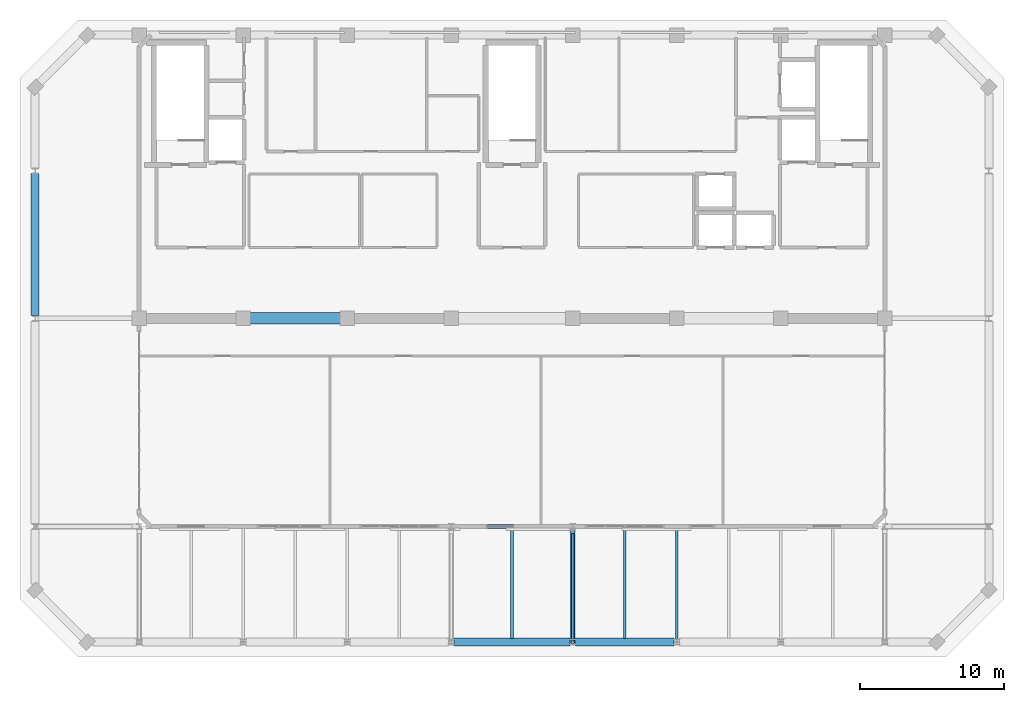
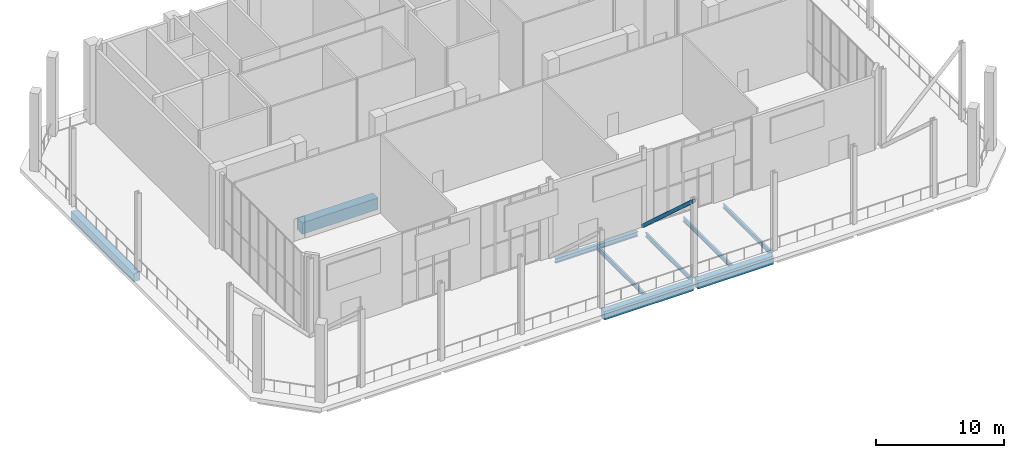
# One storey, part 13 of 23: 9 beams, 1 member.
"""IFC4 building model written with IfcOpenShell, lengths in metres."""

from ifc_helpers import new_model, si_unit, direction, frame, origin, origin_2d, place, context, subcontext, project, spatial, rectangle, hollow_circle, i_section, extrude, material, material_profile, profile_set, type_object, element, save


model = new_model("IFC4")

# Units and contexts
model_context = context("Model", 3, precision=1e-05, world=origin(), true_north=direction((0.0, 1.0)))
body_context = subcontext(model_context, "Body", "Model", "MODEL_VIEW")
ifc_project = project(units=[si_unit("LENGTHUNIT", "METRE"), si_unit("AREAUNIT", "SQUARE_METRE"), si_unit("VOLUMEUNIT", "CUBIC_METRE"), si_unit("PLANEANGLEUNIT", "RADIAN"), si_unit("MASSUNIT", "GRAM", prefix="KILO")], contexts=[model_context])

# Site, building, storey
site_placement = place(None, origin())
site = spatial("IfcSite", under=ifc_project, at=site_placement, CompositionType="ELEMENT")
building_placement = place(site_placement, origin())
building = spatial("IfcBuilding", under=site, at=building_placement, Name="Kaelvorn Grand Hotel", CompositionType="ELEMENT")
storey_placement = place(building_placement, frame((0.0, 0.0, 310.699951171875)))
storey = spatial("IfcBuildingStorey", under=building, at=storey_placement, Name="L75", CompositionType="ELEMENT", Elevation=310.699951171875)

# Beams
ifc_material_1 = material(Name="Steel S355", Category="steel")
ifc_material_profile_1 = material_profile(ifc_material_1, i_section(OverallWidth=0.300048828125, OverallDepth=0.43994140625, WebThickness=0.011474609375, FlangeThickness=0.02099609375, FilletRadius=0.027099609375, at=origin_2d()), Name="HEA 450")
ifc_profile_set_1 = profile_set([ifc_material_profile_1], Name="Steel S355")
beam_type_1 = type_object("IfcBeamType", Name="BM-G-HEA450-S355", PredefinedType="BEAM", material=ifc_profile_set_1)
beam_1_placement = place(storey_placement, frame((38.284912109375, 15.0, -0.52001953125), z_axis=(1.0, 0.0, 0.0), x_axis=(0.0, 1.0, 0.0)))
element("IfcBeam", 1, at=beam_1_placement, inside=storey, type_object=beam_type_1, Name="L75 Primary Spine Steel Girder G-15 03", PredefinedType="BEAM", context=body_context, shape_type="SweptSolid", body=[
    extrude(i_section(OverallWidth=0.300048828125, OverallDepth=0.43994140625, WebThickness=0.011474609375, FlangeThickness=0.02099609375, FilletRadius=0.027099609375, at=origin_2d()), origin(), (0.0, 0.0, 1.0), 7.43017578125),
])
ifc_material_profile_2 = material_profile(ifc_material_1, i_section(OverallWidth=0.179931640625, OverallDepth=0.39990234375, WebThickness=0.008544921875, FlangeThickness=0.013427734375, FilletRadius=0.02099609375, at=origin_2d()), Name="IPE 400")
ifc_profile_set_2 = profile_set([ifc_material_profile_2], Name="Steel S355")
beam_type_2 = type_object("IfcBeamType", Name="BM-J-IPE400-S355", PredefinedType="JOIST", material=ifc_profile_set_2)
beam_2_placement = place(storey_placement, frame((42.0, 7.260009765625, -0.5), z_axis=(0.0, 1.0, 0.0), x_axis=(-1.0, 0.0, 0.0)))
element("IfcBeam", 2, at=beam_2_placement, inside=storey, type_object=beam_type_2, Name="L75 Composite Floor Joist JS-12", PredefinedType="JOIST", context=body_context, shape_type="SweptSolid", body=[
    extrude(i_section(OverallWidth=0.179931640625, OverallDepth=0.39990234375, WebThickness=0.008544921875, FlangeThickness=0.013427734375, FilletRadius=0.02099609375, at=origin_2d()), origin(), (0.0, 0.0, 1.0), 7.60498046875),
])
beam_3_placement = place(storey_placement, frame((46.199951171875, 7.18505859375, -0.5), z_axis=(0.0, 1.0, 0.0), x_axis=(-1.0, 0.0, 0.0)))
element("IfcBeam", 3, at=beam_3_placement, inside=storey, type_object=beam_type_2, Name="L75 Composite Floor Joist JS-13", PredefinedType="JOIST", context=body_context, shape_type="SweptSolid", body=[
    extrude(i_section(OverallWidth=0.179931640625, OverallDepth=0.39990234375, WebThickness=0.008544921875, FlangeThickness=0.013427734375, FilletRadius=0.02099609375, at=origin_2d()), origin(), (0.0, 0.0, 1.0), 7.329833984375),
])
beam_4_placement = place(storey_placement, frame((49.800048828125, 7.260009765625, -0.5), z_axis=(0.0, 1.0, 0.0), x_axis=(-1.0, 0.0, 0.0)))
element("IfcBeam", 4, at=beam_4_placement, inside=storey, type_object=beam_type_2, Name="L75 Composite Floor Joist JS-14", PredefinedType="JOIST", context=body_context, shape_type="SweptSolid", body=[
    extrude(i_section(OverallWidth=0.179931640625, OverallDepth=0.39990234375, WebThickness=0.008544921875, FlangeThickness=0.013427734375, FilletRadius=0.02099609375, at=origin_2d()), origin(), (0.0, 0.0, 1.0), 7.60498046875),
])
beam_5_placement = place(storey_placement, frame((53.39990234375, 7.18505859375, -0.5), z_axis=(0.0, 1.0, 0.0), x_axis=(-1.0, 0.0, 0.0)))
element("IfcBeam", 5, at=beam_5_placement, inside=storey, type_object=beam_type_2, Name="L75 Composite Floor Joist JS-15", PredefinedType="JOIST", context=body_context, shape_type="SweptSolid", body=[
    extrude(i_section(OverallWidth=0.179931640625, OverallDepth=0.39990234375, WebThickness=0.008544921875, FlangeThickness=0.013427734375, FilletRadius=0.02099609375, at=origin_2d()), origin(), (0.0, 0.0, 1.0), 7.679931640625),
])
ifc_material_2 = material(Name="Concrete C60/75", Category="concrete")
ifc_material_profile_3 = material_profile(ifc_material_2, rectangle(XDim=0.800048828125, YDim=1.10009765625, at=origin_2d()), Name="RC LINTEL 800x1100")
ifc_profile_set_3 = profile_set([ifc_material_profile_3], Name="Concrete C60/75")
beam_type_3 = type_object("IfcBeamType", Name="BM-LIN-800x1100-C60", PredefinedType="LINTEL", material=ifc_profile_set_3)
beam_6_placement = place(storey_placement, frame((23.580078125, 29.39990234375, -0.849853515625), z_axis=(1.0, 0.0, 0.0), x_axis=(0.0, 1.0, 0.0)))
element("IfcBeam", 6, at=beam_6_placement, inside=storey, type_object=beam_type_3, Name="L75 Rear-Core Coupling Lintel Beam CB1-01", PredefinedType="LINTEL", context=body_context, shape_type="SweptSolid", body=[
    extrude(rectangle(XDim=0.800048828125, YDim=1.10009765625, at=origin_2d()), origin(), (0.0, 0.0, 1.0), 6.83984375),
])
ifc_material_3 = material(Name="Concrete C50/60", Category="concrete")
ifc_material_profile_4 = material_profile(ifc_material_3, rectangle(XDim=0.550048828125, YDim=0.800048828125, at=origin_2d()), Name="RC SPANDREL 550x800")
ifc_profile_set_4 = profile_set([ifc_material_profile_4], Name="Concrete C50/60")
beam_type_4 = type_object("IfcBeamType", Name="BM-SP-550x800-C50", PredefinedType="SPANDREL", material=ifc_profile_set_4)
beam_7_placement = place(storey_placement, frame((37.985107421875, 7.0, -0.699951171875), z_axis=(1.0, 0.0, 0.0), x_axis=(0.0, 1.0, 0.0)))
element("IfcBeam", 7, at=beam_7_placement, inside=storey, type_object=beam_type_4, Name="L75 South Perimeter Spandrel 05", PredefinedType="SPANDREL", context=body_context, shape_type="SweptSolid", body=[
    extrude(rectangle(XDim=0.550048828125, YDim=0.800048828125, at=origin_2d()), origin(), (0.0, 0.0, 1.0), 8.02978515625),
])
beam_8_placement = place(storey_placement, frame((46.385009765625, 7.0, -0.699951171875), z_axis=(1.0, 0.0, 0.0), x_axis=(0.0, 1.0, 0.0)))
element("IfcBeam", 8, at=beam_8_placement, inside=storey, type_object=beam_type_4, Name="L75 South Perimeter Spandrel 06", PredefinedType="SPANDREL", context=body_context, shape_type="SweptSolid", body=[
    extrude(rectangle(XDim=0.550048828125, YDim=0.800048828125, at=origin_2d()), origin(), (0.0, 0.0, 1.0), 6.830078125),
])
beam_9_placement = place(storey_placement, frame((9.0, 29.5849609375, -0.699951171875), z_axis=(0.0, 1.0, 0.0), x_axis=(-1.0, 0.0, 0.0)))
element("IfcBeam", 9, at=beam_9_placement, inside=storey, type_object=beam_type_4, Name="L75 West Perimeter Spandrel 03", PredefinedType="SPANDREL", context=body_context, shape_type="SweptSolid", body=[
    extrude(rectangle(XDim=0.550048828125, YDim=0.800048828125, at=origin_2d()), origin(), (0.0, 0.0, 1.0), 9.830078125),
])

# Member
ifc_material_profile_5 = material_profile(ifc_material_1, hollow_circle(Radius=0.161865234375, WallThickness=0.01611328125, at=origin_2d()), Name="CHS 323.9x16.0")
ifc_profile_set_5 = profile_set([ifc_material_profile_5], Name="Steel S355")
member_type = type_object("IfcMemberType", Name="MB-CAN-STRUT-CHS324", PredefinedType="STRUT", material=ifc_profile_set_5)
member_placement = place(storey_placement, frame((46.199951171875, 15.0, 0.0), z_axis=(0.0, -0.740986951436, 0.671519424739), x_axis=(1.0, 0.0, 0.0)))
element("IfcMember", 10, at=member_placement, inside=storey, type_object=member_type, Name="L75 Crown Parasol Canopy Raking Strut 3", PredefinedType="STRUT", context=body_context, shape_type="SweptSolid", body=[
    extrude(hollow_circle(Radius=0.161865234375, WallThickness=0.01611328125, at=origin_2d()), origin(), (0.0, 0.0, 1.0), 10.79638671875),
])

save(model, "model.ifc")
